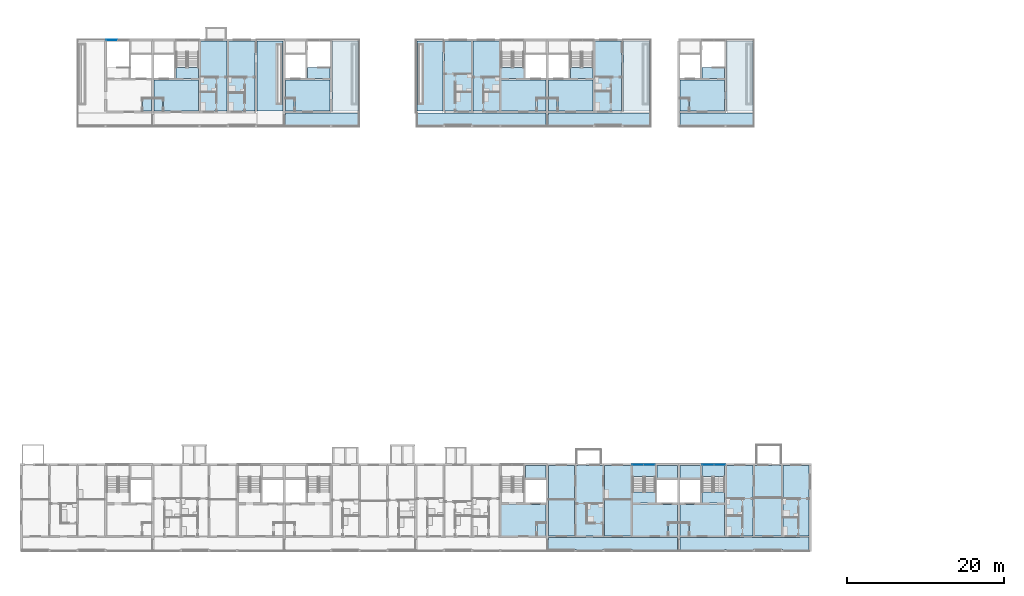
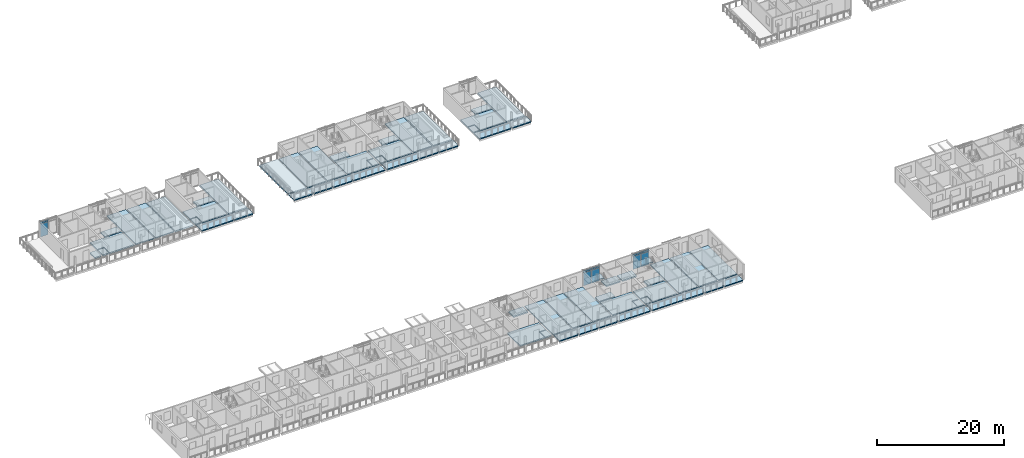
# One storey, part 28 of 94: 51 slabs, 10 plates, 5 elements without a shape of their own.
"""IFC4 building model written with IfcOpenShell, lengths in metres."""

from ifc_helpers import new_model, si_unit, direction, frame, origin, origin_2d, place, context, subcontext, project, spatial, polyline, rectangle, outline, extrude, material, layer, layer_set, type_object, element, aggregate, save


model = new_model("IFC4")

# Units and contexts
model_context = context("Model", 3, precision=1e-05, world=origin(), true_north=direction((0.0, 1.0)))
body_context = subcontext(model_context, "Body", "Model", "MODEL_VIEW")
ifc_project = project(units=[si_unit("LENGTHUNIT", "METRE"), si_unit("AREAUNIT", "SQUARE_METRE"), si_unit("VOLUMEUNIT", "CUBIC_METRE"), si_unit("PLANEANGLEUNIT", "RADIAN"), si_unit("MASSUNIT", "GRAM", prefix="KILO")], contexts=[model_context])

# Site, building, storey
site_placement = place(None, origin())
site = spatial("IfcSite", under=ifc_project, at=site_placement, CompositionType="ELEMENT")
building_placement = place(site_placement, origin())
building = spatial("IfcBuilding", under=site, at=building_placement, Name="Ridgestep Commons", CompositionType="ELEMENT")
storey_placement = place(building_placement, frame((0.0, 0.0, 24.0)))
storey = spatial("IfcBuildingStorey", under=building, at=storey_placement, Name="L08", CompositionType="ELEMENT", Elevation=24.0)

# Slabs
ifc_material_1 = material(Name="Precast concrete C40/50", Category="concrete")
ifc_layer_1 = layer(ifc_material_1, 0.199951171875)
ifc_layer_set_1 = layer_set([ifc_layer_1], Name="Gallery slab 200")
slab_type_1 = type_object("IfcSlabType", Name="Gallery slab 200", PredefinedType="FLOOR", material=ifc_layer_set_1)
slab_1_placement = place(storey_placement, frame((0.0, 0.0, -0.199951171875)))
element("IfcSlab", 1, at=slab_1_placement, inside=storey, type_object=slab_type_1, Name="Gallery slab A5 L08", PredefinedType="FLOOR", context=body_context, shape_type="SweptSolid", body=[
    extrude(outline(polyline([(95.85009765625, 13.550048828125), (79.35009765625, 13.550048828125), (79.35009765625, 11.75), (82.675048828125, 11.75), (82.675048828125, 12.0), (82.925048828125, 12.0), (82.925048828125, 11.75), (86.27490234375, 11.75), (86.27490234375, 12.0), (86.52490234375, 12.0), (86.52490234375, 11.75), (89.875, 11.75), (89.875, 12.0), (90.125, 12.0), (90.125, 11.75), (95.85009765625, 11.75), (95.85009765625, 13.550048828125)])), origin(), (0.0, 0.0, 1.0), 0.199951171875),
])
slab_2_placement = place(storey_placement, frame((0.0, 0.0, -0.199951171875)))
element("IfcSlab", 2, at=slab_2_placement, inside=storey, type_object=slab_type_1, Name="Gallery slab A6 L08", PredefinedType="FLOOR", context=body_context, shape_type="SweptSolid", body=[
    extrude(outline(polyline([(112.64990234375, 13.550048828125), (96.14990234375, 13.550048828125), (96.14990234375, 11.75), (101.875, 11.75), (101.875, 12.0), (102.125, 12.0), (102.125, 11.75), (105.47509765625, 11.75), (105.47509765625, 12.0), (105.72509765625, 12.0), (105.72509765625, 11.75), (109.074951171875, 11.75), (109.074951171875, 12.0), (109.324951171875, 12.0), (109.324951171875, 11.75), (112.64990234375, 11.75), (112.64990234375, 13.550048828125)])), origin(), (0.0, 0.0, 1.0), 0.199951171875),
])
slab_3_placement = place(storey_placement, frame((0.0, 0.0, -0.199951171875)))
element("IfcSlab", 3, at=slab_3_placement, inside=storey, type_object=slab_type_1, Name="Gallery slab B3 L08", PredefinedType="FLOOR", context=body_context, shape_type="SweptSolid", body=[
    extrude(outline(polyline([(45.75, 67.800048828125), (45.75, 66.0), (51.47509765625, 66.0), (51.47509765625, 66.25), (51.72509765625, 66.25), (51.72509765625, 66.0), (55.074951171875, 66.0), (55.074951171875, 66.25), (55.199951171875, 66.25), (55.199951171875, 67.800048828125), (45.75, 67.800048828125)])), origin(), (0.0, 0.0, 1.0), 0.199951171875),
])
slab_4_placement = place(storey_placement, frame((0.0, 0.0, -0.199951171875)))
element("IfcSlab", 4, at=slab_4_placement, inside=storey, type_object=slab_type_1, Name="Gallery slab B4 L08", PredefinedType="FLOOR", context=body_context, shape_type="SweptSolid", body=[
    extrude(outline(polyline([(79.050048828125, 67.800048828125), (62.550048828125, 67.800048828125), (62.550048828125, 66.0), (65.875, 66.0), (65.875, 66.25), (66.125, 66.25), (66.125, 66.0), (69.47509765625, 66.0), (69.47509765625, 66.25), (69.72509765625, 66.25), (69.72509765625, 66.0), (73.074951171875, 66.0), (73.074951171875, 66.25), (73.324951171875, 66.25), (73.324951171875, 66.0), (79.050048828125, 66.0), (79.050048828125, 67.800048828125)])), origin(), (0.0, 0.0, 1.0), 0.199951171875),
])
slab_5_placement = place(storey_placement, frame((0.0, 0.0, -0.199951171875)))
element("IfcSlab", 5, at=slab_5_placement, inside=storey, type_object=slab_type_1, Name="Gallery slab B5 L08", PredefinedType="FLOOR", context=body_context, shape_type="SweptSolid", body=[
    extrude(outline(polyline([(92.39990234375, 67.800048828125), (79.35009765625, 67.800048828125), (79.35009765625, 66.0), (85.074951171875, 66.0), (85.074951171875, 66.25), (85.324951171875, 66.25), (85.324951171875, 66.0), (88.675048828125, 66.0), (88.675048828125, 66.25), (88.925048828125, 66.25), (88.925048828125, 66.0), (92.27490234375, 66.0), (92.27490234375, 66.25), (92.39990234375, 66.25), (92.39990234375, 67.800048828125)])), origin(), (0.0, 0.0, 1.0), 0.199951171875),
])
slab_6_placement = place(storey_placement, frame((0.0, 0.0, -0.199951171875)))
element("IfcSlab", 6, at=slab_6_placement, inside=storey, type_object=slab_type_1, Name="Gallery slab B6 L08", PredefinedType="FLOOR", context=body_context, shape_type="SweptSolid", body=[
    extrude(outline(polyline([(96.14990234375, 67.800048828125), (96.14990234375, 66.0), (101.875, 66.0), (101.875, 66.25), (102.125, 66.25), (102.125, 66.0), (105.47509765625, 66.0), (105.47509765625, 66.25), (105.60009765625, 66.25), (105.60009765625, 67.800048828125), (96.14990234375, 67.800048828125)])), origin(), (0.0, 0.0, 1.0), 0.199951171875),
])

# Curtain wall, plates
ifc_material_2 = material(Name="Aluminium 6063-T6 and glass", Category="aluminium")
curtain_wall_type = type_object("IfcCurtainWallType", Name="Curtain wall stair strip", PredefinedType="NOTDEFINED", material=ifc_material_2)
curtain_wall_1_placement = place(storey_placement, origin())
curtain_wall_1 = element("IfcCurtainWall", 7, at=curtain_wall_1_placement, inside=storey, type_object=curtain_wall_type, Name="Curtain wall A5C level 08", PredefinedType="NOTDEFINED")
ifc_material_3 = material(Name="Glass laminated 6/16/6 low-emissivity", Category="glass")
ifc_layer_2 = layer(ifc_material_3, 0.028076171875)
ifc_layer_set_2 = layer_set([ifc_layer_2], Name="Glazing panel 28")
plate_type_1 = type_object("IfcPlateType", Name="Glazing panel 28", PredefinedType="CURTAIN_PANEL", material=ifc_layer_set_2)
plate_1_placement = place(storey_placement, frame((90.771240234375, 22.830078125, 0.06005859375), z_axis=(0.0, 0.0, 1.0), x_axis=(1.0, 0.0, 0.0)))
plate_1 = element("IfcPlate", 8, at=plate_1_placement, type_object=plate_type_1, Name="CW1 panel 1.1", PredefinedType="CURTAIN_PANEL", context=body_context, shape_type="SweptSolid", body=[
    extrude(rectangle(XDim=1.422607421875, YDim=0.028076171875, at=origin_2d()), origin(), (0.0, 0.0, 1.0), 2.5),
])
plate_2_placement = place(storey_placement, frame((92.253662109375, 22.830078125, 0.06005859375), z_axis=(0.0, 0.0, 1.0), x_axis=(1.0, 0.0, 0.0)))
plate_2 = element("IfcPlate", 9, at=plate_2_placement, type_object=plate_type_1, Name="CW1 panel 2.1", PredefinedType="CURTAIN_PANEL", context=body_context, shape_type="SweptSolid", body=[
    extrude(rectangle(XDim=1.422607421875, YDim=0.028076171875, at=origin_2d()), origin(), (0.0, 0.0, 1.0), 2.5),
])

curtain_wall_2_placement = place(storey_placement, origin())
curtain_wall_2 = element("IfcCurtainWall", 10, at=curtain_wall_2_placement, inside=storey, type_object=curtain_wall_type, Name="Curtain wall A6C level 08", PredefinedType="NOTDEFINED")
plate_3_placement = place(storey_placement, frame((99.746337890625, 22.830078125, 0.06005859375), z_axis=(0.0, 0.0, 1.0), x_axis=(1.0, 0.0, 0.0)))
plate_3 = element("IfcPlate", 11, at=plate_3_placement, type_object=plate_type_1, Name="CW1 panel 1.1", PredefinedType="CURTAIN_PANEL", context=body_context, shape_type="SweptSolid", body=[
    extrude(rectangle(XDim=1.422607421875, YDim=0.028076171875, at=origin_2d()), origin(), (0.0, 0.0, 1.0), 2.5),
])
plate_4_placement = place(storey_placement, frame((101.228759765625, 22.830078125, 0.06005859375), z_axis=(0.0, 0.0, 1.0), x_axis=(1.0, 0.0, 0.0)))
plate_4 = element("IfcPlate", 12, at=plate_4_placement, type_object=plate_type_1, Name="CW1 panel 2.1", PredefinedType="CURTAIN_PANEL", context=body_context, shape_type="SweptSolid", body=[
    extrude(rectangle(XDim=1.422607421875, YDim=0.028076171875, at=origin_2d()), origin(), (0.0, 0.0, 1.0), 2.5),
])

# Curtain wall, plate
curtain_wall_3_placement = place(storey_placement, origin())
curtain_wall_3 = element("IfcCurtainWall", 13, at=curtain_wall_3_placement, inside=storey, type_object=curtain_wall_type, Name="Curtain wall B1C level 08", PredefinedType="NOTDEFINED")
plate_5_placement = place(storey_placement, frame((23.5712890625, 77.080078125, 0.06005859375), z_axis=(0.0, 0.0, 1.0), x_axis=(1.0, 0.0, 0.0)))
plate_5 = element("IfcPlate", 14, at=plate_5_placement, type_object=plate_type_1, Name="CW1 panel 1.1", PredefinedType="CURTAIN_PANEL", context=body_context, shape_type="SweptSolid", body=[
    extrude(rectangle(XDim=1.422607421875, YDim=0.028076171875, at=origin_2d()), origin(), (0.0, 0.0, 1.0), 2.5),
])

# Slabs
ifc_material_4 = material(Name="Precast concrete C50/60", Category="concrete")
ifc_layer_3 = layer(ifc_material_4, 0.199951171875)
ifc_layer_set_3 = layer_set([ifc_layer_3], Name="Hollow-core plank 200")
slab_type_2 = type_object("IfcSlabType", Name="Hollow-core plank 200", PredefinedType="FLOOR", material=ifc_layer_set_3)
slab_7_placement = place(storey_placement, frame((0.0, 0.0, -0.199951171875)))
element("IfcSlab", 15, at=slab_7_placement, inside=storey, type_object=slab_type_2, Name="Floor plank A5T1 L08", PredefinedType="FLOOR", context=body_context, shape_type="SweptSolid", body=[
    extrude(outline(polyline([(82.699951171875, 13.75), (82.699951171875, 22.75), (79.35009765625, 22.75), (79.35009765625, 13.75), (82.699951171875, 13.75)])), origin(), (0.0, 0.0, 1.0), 0.199951171875),
])
slab_8_placement = place(storey_placement, frame((0.0, 0.0, -0.199951171875)))
element("IfcSlab", 16, at=slab_8_placement, inside=storey, type_object=slab_type_2, Name="Floor plank A5T2 L08", PredefinedType="FLOOR", context=body_context, shape_type="SweptSolid", body=[
    extrude(outline(polyline([(86.300048828125, 13.75), (86.300048828125, 22.75), (82.89990234375, 22.75), (82.89990234375, 13.75), (86.300048828125, 13.75)])), origin(), (0.0, 0.0, 1.0), 0.199951171875),
])
slab_9_placement = place(storey_placement, frame((0.0, 0.0, -0.199951171875)))
element("IfcSlab", 17, at=slab_9_placement, inside=storey, type_object=slab_type_2, Name="Floor plank A5T3 L08", PredefinedType="FLOOR", context=body_context, shape_type="SweptSolid", body=[
    extrude(outline(polyline([(89.875, 13.75), (89.875, 22.75), (86.5, 22.75), (86.5, 13.75), (89.875, 13.75)])), origin(), (0.0, 0.0, 1.0), 0.199951171875),
])
slab_10_placement = place(storey_placement, frame((0.0, 0.0, -0.199951171875)))
element("IfcSlab", 18, at=slab_10_placement, inside=storey, type_object=slab_type_2, Name="Floor plank A6T3 L08", PredefinedType="FLOOR", context=body_context, shape_type="SweptSolid", body=[
    extrude(outline(polyline([(105.5, 13.75), (105.5, 22.75), (102.125, 22.75), (102.125, 13.75), (105.5, 13.75)])), origin(), (0.0, 0.0, 1.0), 0.199951171875),
])
slab_11_placement = place(storey_placement, frame((0.0, 0.0, -0.199951171875)))
element("IfcSlab", 19, at=slab_11_placement, inside=storey, type_object=slab_type_2, Name="Floor plank A6T2 L08", PredefinedType="FLOOR", context=body_context, shape_type="SweptSolid", body=[
    extrude(outline(polyline([(109.10009765625, 13.75), (109.10009765625, 22.75), (105.699951171875, 22.75), (105.699951171875, 13.75), (109.10009765625, 13.75)])), origin(), (0.0, 0.0, 1.0), 0.199951171875),
])
slab_12_placement = place(storey_placement, frame((0.0, 0.0, -0.199951171875)))
element("IfcSlab", 20, at=slab_12_placement, inside=storey, type_object=slab_type_2, Name="Floor plank A6T1 L08", PredefinedType="FLOOR", context=body_context, shape_type="SweptSolid", body=[
    extrude(outline(polyline([(112.64990234375, 13.75), (112.64990234375, 22.75), (109.300048828125, 22.75), (109.300048828125, 13.75), (112.64990234375, 13.75)])), origin(), (0.0, 0.0, 1.0), 0.199951171875),
])
slab_13_placement = place(storey_placement, frame((0.0, 0.0, -0.199951171875)))
element("IfcSlab", 21, at=slab_13_placement, inside=storey, type_object=slab_type_2, Name="Floor plank B2T3 L08", PredefinedType="FLOOR", context=body_context, shape_type="SweptSolid", body=[
    extrude(outline(polyline([(38.300048828125, 68.0), (38.300048828125, 77.0), (34.925048828125, 77.0), (34.925048828125, 68.0), (38.300048828125, 68.0)])), origin(), (0.0, 0.0, 1.0), 0.199951171875),
])
slab_14_placement = place(storey_placement, frame((0.0, 0.0, -0.199951171875)))
element("IfcSlab", 22, at=slab_14_placement, inside=storey, type_object=slab_type_2, Name="Floor plank B2T2 L08", PredefinedType="FLOOR", context=body_context, shape_type="SweptSolid", body=[
    extrude(outline(polyline([(41.89990234375, 68.0), (41.89990234375, 77.0), (38.5, 77.0), (38.5, 68.0), (41.89990234375, 68.0)])), origin(), (0.0, 0.0, 1.0), 0.199951171875),
])
slab_15_placement = place(storey_placement, frame((0.0, 0.0, -0.199951171875)))
element("IfcSlab", 23, at=slab_15_placement, inside=storey, type_object=slab_type_2, Name="Floor plank B4T2 L08", PredefinedType="FLOOR", context=body_context, shape_type="SweptSolid", body=[
    extrude(outline(polyline([(69.5, 68.0), (69.5, 77.0), (66.10009765625, 77.0), (66.10009765625, 68.0), (69.5, 68.0)])), origin(), (0.0, 0.0, 1.0), 0.199951171875),
])
slab_16_placement = place(storey_placement, frame((0.0, 0.0, -0.199951171875)))
element("IfcSlab", 24, at=slab_16_placement, inside=storey, type_object=slab_type_2, Name="Floor plank B4T3 L08", PredefinedType="FLOOR", context=body_context, shape_type="SweptSolid", body=[
    extrude(outline(polyline([(73.074951171875, 68.0), (73.074951171875, 77.0), (69.699951171875, 77.0), (69.699951171875, 68.0), (73.074951171875, 68.0)])), origin(), (0.0, 0.0, 1.0), 0.199951171875),
])
slab_17_placement = place(storey_placement, frame((0.0, 0.0, -0.199951171875)))
element("IfcSlab", 25, at=slab_17_placement, inside=storey, type_object=slab_type_2, Name="Floor plank B5T3 L08", PredefinedType="FLOOR", context=body_context, shape_type="SweptSolid", body=[
    extrude(outline(polyline([(88.699951171875, 68.0), (88.699951171875, 77.0), (85.324951171875, 77.0), (85.324951171875, 68.0), (88.699951171875, 68.0)])), origin(), (0.0, 0.0, 1.0), 0.199951171875),
])
ifc_material_5 = material(Name="Precast concrete C50/60", Category="concrete")
ifc_layer_4 = layer(ifc_material_5, 0.25)
ifc_layer_set_4 = layer_set([ifc_layer_4], Name="Hollow-core plank 250")
slab_type_3 = type_object("IfcSlabType", Name="Hollow-core plank 250", PredefinedType="FLOOR", material=ifc_layer_set_4)
slab_18_placement = place(storey_placement, frame((0.0, 0.0, -0.25)))
element("IfcSlab", 26, at=slab_18_placement, inside=storey, type_object=slab_type_3, Name="Floor plank A4C L08", PredefinedType="FLOOR", context=body_context, shape_type="SweptSolid", body=[
    extrude(outline(polyline([(77.919921875, 15.469970703125), (79.050048828125, 15.469970703125), (79.050048828125, 17.75), (73.324951171875, 17.75), (73.324951171875, 13.75), (77.800048828125, 13.75), (77.800048828125, 15.469970703125), (77.919921875, 15.469970703125)])), origin(), (0.0, 0.0, 1.0), 0.25),
])
slab_19_placement = place(storey_placement, frame((0.0, 0.0, -0.25)))
element("IfcSlab", 27, at=slab_19_placement, inside=storey, type_object=slab_type_3, Name="Floor plank A4C L08", PredefinedType="FLOOR", context=body_context, shape_type="SweptSolid", body=[
    extrude(outline(polyline([(79.050048828125, 21.14990234375), (79.050048828125, 22.75), (76.425048828125, 22.75), (76.425048828125, 21.14990234375), (79.050048828125, 21.14990234375)])), origin(), (0.0, 0.0, 1.0), 0.25),
])
slab_20_placement = place(storey_placement, frame((0.0, 0.0, -0.25)))
element("IfcSlab", 28, at=slab_20_placement, inside=storey, type_object=slab_type_3, Name="Floor plank A4C L08", PredefinedType="FLOOR", context=body_context, shape_type="SweptSolid", body=[
    extrude(outline(polyline([(77.919921875, 13.75), (79.050048828125, 13.75), (79.050048828125, 15.35009765625), (77.919921875, 15.35009765625), (77.919921875, 13.75)])), origin(), (0.0, 0.0, 1.0), 0.25),
])
slab_21_placement = place(storey_placement, frame((0.0, 0.0, -0.25)))
element("IfcSlab", 29, at=slab_21_placement, inside=storey, type_object=slab_type_3, Name="Floor plank A5C L08", PredefinedType="FLOOR", context=body_context, shape_type="SweptSolid", body=[
    extrude(outline(polyline([(94.719970703125, 15.469970703125), (95.85009765625, 15.469970703125), (95.85009765625, 17.75), (90.125, 17.75), (90.125, 13.75), (94.60009765625, 13.75), (94.60009765625, 15.469970703125), (94.719970703125, 15.469970703125)])), origin(), (0.0, 0.0, 1.0), 0.25),
])
slab_22_placement = place(storey_placement, frame((0.0, 0.0, -0.25)))
element("IfcSlab", 30, at=slab_22_placement, inside=storey, type_object=slab_type_3, Name="Floor plank A5C L08", PredefinedType="FLOOR", context=body_context, shape_type="SweptSolid", body=[
    extrude(outline(polyline([(95.85009765625, 21.14990234375), (95.85009765625, 22.75), (93.22509765625, 22.75), (93.22509765625, 21.14990234375), (95.85009765625, 21.14990234375)])), origin(), (0.0, 0.0, 1.0), 0.25),
])
slab_23_placement = place(storey_placement, frame((0.0, 0.0, -0.25)))
element("IfcSlab", 31, at=slab_23_placement, inside=storey, type_object=slab_type_3, Name="Floor plank A5C L08", PredefinedType="FLOOR", context=body_context, shape_type="SweptSolid", body=[
    extrude(outline(polyline([(93.02490234375, 17.949951171875), (93.02490234375, 19.35009765625), (90.125, 19.35009765625), (90.125, 17.949951171875), (93.02490234375, 17.949951171875)])), origin(), (0.0, 0.0, 1.0), 0.25),
])
slab_24_placement = place(storey_placement, frame((0.0, 0.0, -0.25)))
element("IfcSlab", 32, at=slab_24_placement, inside=storey, type_object=slab_type_3, Name="Floor plank A5C L08", PredefinedType="FLOOR", context=body_context, shape_type="SweptSolid", body=[
    extrude(outline(polyline([(94.719970703125, 13.75), (95.85009765625, 13.75), (95.85009765625, 15.35009765625), (94.719970703125, 15.35009765625), (94.719970703125, 13.75)])), origin(), (0.0, 0.0, 1.0), 0.25),
])
slab_25_placement = place(storey_placement, frame((0.0, 0.0, -0.25)))
element("IfcSlab", 33, at=slab_25_placement, inside=storey, type_object=slab_type_3, Name="Floor plank A6C L08", PredefinedType="FLOOR", context=body_context, shape_type="SweptSolid", body=[
    extrude(outline(polyline([(97.39990234375, 13.75), (101.875, 13.75), (101.875, 17.75), (96.14990234375, 17.75), (96.14990234375, 15.469970703125), (97.280029296875, 15.469970703125), (97.39990234375, 15.469970703125), (97.39990234375, 13.75)])), origin(), (0.0, 0.0, 1.0), 0.25),
])
slab_26_placement = place(storey_placement, frame((0.0, 0.0, -0.25)))
element("IfcSlab", 34, at=slab_26_placement, inside=storey, type_object=slab_type_3, Name="Floor plank A6C L08", PredefinedType="FLOOR", context=body_context, shape_type="SweptSolid", body=[
    extrude(outline(polyline([(98.77490234375, 22.75), (96.14990234375, 22.75), (96.14990234375, 21.14990234375), (98.77490234375, 21.14990234375), (98.77490234375, 22.75)])), origin(), (0.0, 0.0, 1.0), 0.25),
])
slab_27_placement = place(storey_placement, frame((0.0, 0.0, -0.25)))
element("IfcSlab", 35, at=slab_27_placement, inside=storey, type_object=slab_type_3, Name="Floor plank A6C L08", PredefinedType="FLOOR", context=body_context, shape_type="SweptSolid", body=[
    extrude(outline(polyline([(101.875, 17.949951171875), (101.875, 19.35009765625), (98.97509765625, 19.35009765625), (98.97509765625, 17.949951171875), (101.875, 17.949951171875)])), origin(), (0.0, 0.0, 1.0), 0.25),
])
slab_28_placement = place(storey_placement, frame((0.0, 0.0, -0.25)))
element("IfcSlab", 36, at=slab_28_placement, inside=storey, type_object=slab_type_3, Name="Floor plank A6C L08", PredefinedType="FLOOR", context=body_context, shape_type="SweptSolid", body=[
    extrude(outline(polyline([(97.280029296875, 15.35009765625), (96.14990234375, 15.35009765625), (96.14990234375, 13.75), (97.280029296875, 13.75), (97.280029296875, 15.35009765625)])), origin(), (0.0, 0.0, 1.0), 0.25),
])
slab_29_placement = place(storey_placement, frame((0.0, 0.0, -0.25)))
element("IfcSlab", 37, at=slab_29_placement, inside=storey, type_object=slab_type_3, Name="Floor plank B1C L08", PredefinedType="FLOOR", context=body_context, shape_type="SweptSolid", body=[
    extrude(outline(polyline([(27.52001953125, 68.0), (28.64990234375, 68.0), (28.64990234375, 69.60009765625), (27.52001953125, 69.60009765625), (27.52001953125, 68.0)])), origin(), (0.0, 0.0, 1.0), 0.25),
])
slab_30_placement = place(storey_placement, frame((0.0, 0.0, -0.25)))
element("IfcSlab", 38, at=slab_30_placement, inside=storey, type_object=slab_type_3, Name="Floor plank B2C L08", PredefinedType="FLOOR", context=body_context, shape_type="SweptSolid", body=[
    extrude(outline(polyline([(30.199951171875, 68.0), (34.675048828125, 68.0), (34.675048828125, 72.0), (28.949951171875, 72.0), (28.949951171875, 69.719970703125), (30.080078125, 69.719970703125), (30.199951171875, 69.719970703125), (30.199951171875, 68.0)])), origin(), (0.0, 0.0, 1.0), 0.25),
])
slab_31_placement = place(storey_placement, frame((0.0, 0.0, -0.25)))
element("IfcSlab", 39, at=slab_31_placement, inside=storey, type_object=slab_type_3, Name="Floor plank B2C L08", PredefinedType="FLOOR", context=body_context, shape_type="SweptSolid", body=[
    extrude(outline(polyline([(34.675048828125, 72.199951171875), (34.675048828125, 73.60009765625), (31.77490234375, 73.60009765625), (31.77490234375, 72.199951171875), (34.675048828125, 72.199951171875)])), origin(), (0.0, 0.0, 1.0), 0.25),
])
slab_32_placement = place(storey_placement, frame((0.0, 0.0, -0.25)))
element("IfcSlab", 40, at=slab_32_placement, inside=storey, type_object=slab_type_3, Name="Floor plank B2C L08", PredefinedType="FLOOR", context=body_context, shape_type="SweptSolid", body=[
    extrude(outline(polyline([(30.080078125, 69.60009765625), (28.949951171875, 69.60009765625), (28.949951171875, 68.0), (30.080078125, 68.0), (30.080078125, 69.60009765625)])), origin(), (0.0, 0.0, 1.0), 0.25),
])
slab_33_placement = place(storey_placement, frame((0.0, 0.0, -0.25)))
element("IfcSlab", 41, at=slab_33_placement, inside=storey, type_object=slab_type_3, Name="Floor plank B3C L08", PredefinedType="FLOOR", context=body_context, shape_type="SweptSolid", body=[
    extrude(outline(polyline([(47.0, 68.0), (51.47509765625, 68.0), (51.47509765625, 72.0), (45.75, 72.0), (45.75, 69.719970703125), (46.8798828125, 69.719970703125), (47.0, 69.719970703125), (47.0, 68.0)])), origin(), (0.0, 0.0, 1.0), 0.25),
])
slab_34_placement = place(storey_placement, frame((0.0, 0.0, -0.25)))
element("IfcSlab", 42, at=slab_34_placement, inside=storey, type_object=slab_type_3, Name="Floor plank B3C L08", PredefinedType="FLOOR", context=body_context, shape_type="SweptSolid", body=[
    extrude(outline(polyline([(51.47509765625, 72.199951171875), (51.47509765625, 73.60009765625), (48.574951171875, 73.60009765625), (48.574951171875, 72.199951171875), (51.47509765625, 72.199951171875)])), origin(), (0.0, 0.0, 1.0), 0.25),
])
slab_35_placement = place(storey_placement, frame((0.0, 0.0, -0.25)))
element("IfcSlab", 43, at=slab_35_placement, inside=storey, type_object=slab_type_3, Name="Floor plank B3C L08", PredefinedType="FLOOR", context=body_context, shape_type="SweptSolid", body=[
    extrude(outline(polyline([(46.8798828125, 69.60009765625), (45.75, 69.60009765625), (45.75, 68.0), (46.8798828125, 68.0), (46.8798828125, 69.60009765625)])), origin(), (0.0, 0.0, 1.0), 0.25),
])
slab_36_placement = place(storey_placement, frame((0.0, 0.0, -0.25)))
element("IfcSlab", 44, at=slab_36_placement, inside=storey, type_object=slab_type_3, Name="Floor plank B4C L08", PredefinedType="FLOOR", context=body_context, shape_type="SweptSolid", body=[
    extrude(outline(polyline([(77.919921875, 69.719970703125), (79.050048828125, 69.719970703125), (79.050048828125, 72.0), (73.324951171875, 72.0), (73.324951171875, 68.0), (77.800048828125, 68.0), (77.800048828125, 69.719970703125), (77.919921875, 69.719970703125)])), origin(), (0.0, 0.0, 1.0), 0.25),
])
slab_37_placement = place(storey_placement, frame((0.0, 0.0, -0.25)))
element("IfcSlab", 45, at=slab_37_placement, inside=storey, type_object=slab_type_3, Name="Floor plank B4C L08", PredefinedType="FLOOR", context=body_context, shape_type="SweptSolid", body=[
    extrude(outline(polyline([(76.22509765625, 72.199951171875), (76.22509765625, 73.60009765625), (73.324951171875, 73.60009765625), (73.324951171875, 72.199951171875), (76.22509765625, 72.199951171875)])), origin(), (0.0, 0.0, 1.0), 0.25),
])
slab_38_placement = place(storey_placement, frame((0.0, 0.0, -0.25)))
element("IfcSlab", 46, at=slab_38_placement, inside=storey, type_object=slab_type_3, Name="Floor plank B4C L08", PredefinedType="FLOOR", context=body_context, shape_type="SweptSolid", body=[
    extrude(outline(polyline([(77.919921875, 68.0), (79.050048828125, 68.0), (79.050048828125, 69.60009765625), (77.919921875, 69.60009765625), (77.919921875, 68.0)])), origin(), (0.0, 0.0, 1.0), 0.25),
])
slab_39_placement = place(storey_placement, frame((0.0, 0.0, -0.25)))
element("IfcSlab", 47, at=slab_39_placement, inside=storey, type_object=slab_type_3, Name="Floor plank B5C L08", PredefinedType="FLOOR", context=body_context, shape_type="SweptSolid", body=[
    extrude(outline(polyline([(80.60009765625, 68.0), (85.074951171875, 68.0), (85.074951171875, 72.0), (79.35009765625, 72.0), (79.35009765625, 69.719970703125), (80.47998046875, 69.719970703125), (80.60009765625, 69.719970703125), (80.60009765625, 68.0)])), origin(), (0.0, 0.0, 1.0), 0.25),
])
slab_40_placement = place(storey_placement, frame((0.0, 0.0, -0.25)))
element("IfcSlab", 48, at=slab_40_placement, inside=storey, type_object=slab_type_3, Name="Floor plank B5C L08", PredefinedType="FLOOR", context=body_context, shape_type="SweptSolid", body=[
    extrude(outline(polyline([(85.074951171875, 72.199951171875), (85.074951171875, 73.60009765625), (82.175048828125, 73.60009765625), (82.175048828125, 72.199951171875), (85.074951171875, 72.199951171875)])), origin(), (0.0, 0.0, 1.0), 0.25),
])
slab_41_placement = place(storey_placement, frame((0.0, 0.0, -0.25)))
element("IfcSlab", 49, at=slab_41_placement, inside=storey, type_object=slab_type_3, Name="Floor plank B5C L08", PredefinedType="FLOOR", context=body_context, shape_type="SweptSolid", body=[
    extrude(outline(polyline([(80.47998046875, 69.60009765625), (79.35009765625, 69.60009765625), (79.35009765625, 68.0), (80.47998046875, 68.0), (80.47998046875, 69.60009765625)])), origin(), (0.0, 0.0, 1.0), 0.25),
])
slab_42_placement = place(storey_placement, frame((0.0, 0.0, -0.25)))
element("IfcSlab", 50, at=slab_42_placement, inside=storey, type_object=slab_type_3, Name="Floor plank B6C L08", PredefinedType="FLOOR", context=body_context, shape_type="SweptSolid", body=[
    extrude(outline(polyline([(97.39990234375, 68.0), (101.875, 68.0), (101.875, 72.0), (96.14990234375, 72.0), (96.14990234375, 69.719970703125), (97.280029296875, 69.719970703125), (97.39990234375, 69.719970703125), (97.39990234375, 68.0)])), origin(), (0.0, 0.0, 1.0), 0.25),
])
slab_43_placement = place(storey_placement, frame((0.0, 0.0, -0.25)))
element("IfcSlab", 51, at=slab_43_placement, inside=storey, type_object=slab_type_3, Name="Floor plank B6C L08", PredefinedType="FLOOR", context=body_context, shape_type="SweptSolid", body=[
    extrude(outline(polyline([(101.875, 72.199951171875), (101.875, 73.60009765625), (98.97509765625, 73.60009765625), (98.97509765625, 72.199951171875), (101.875, 72.199951171875)])), origin(), (0.0, 0.0, 1.0), 0.25),
])
slab_44_placement = place(storey_placement, frame((0.0, 0.0, -0.25)))
element("IfcSlab", 52, at=slab_44_placement, inside=storey, type_object=slab_type_3, Name="Floor plank B6C L08", PredefinedType="FLOOR", context=body_context, shape_type="SweptSolid", body=[
    extrude(outline(polyline([(97.280029296875, 69.60009765625), (96.14990234375, 69.60009765625), (96.14990234375, 68.0), (97.280029296875, 68.0), (97.280029296875, 69.60009765625)])), origin(), (0.0, 0.0, 1.0), 0.25),
])
ifc_material_6 = material(Name="Precast concrete C50/60", Category="concrete")
ifc_layer_5 = layer(ifc_material_6, 0.25)
ifc_layer_set_5 = layer_set([ifc_layer_5], Name="Roof slab 250")
slab_type_4 = type_object("IfcSlabType", Name="Roof slab 250", PredefinedType="ROOF", material=ifc_layer_set_5)
slab_45_placement = place(storey_placement, frame((0.0, 0.0, -0.25)))
element("IfcSlab", 53, at=slab_45_placement, inside=storey, type_object=slab_type_4, Name="Terrace slab B2T1", PredefinedType="ROOF", context=body_context, shape_type="SweptSolid", body=[
    extrude(outline(polyline([(45.449951171875, 68.0), (45.449951171875, 77.0), (42.10009765625, 77.0), (42.10009765625, 68.0), (45.449951171875, 68.0)])), origin(), (0.0, 0.0, 1.0), 0.25),
])
slab_46_placement = place(storey_placement, frame((0.0, 0.0, -0.25)))
element("IfcSlab", 54, at=slab_46_placement, inside=storey, type_object=slab_type_4, Name="Terrace slab B3T3", PredefinedType="ROOF", context=body_context, shape_type="SweptSolid", body=[
    extrude(outline(polyline([(55.10009765625, 68.0), (55.10009765625, 77.0), (51.72509765625, 77.0), (51.72509765625, 68.0), (55.10009765625, 68.0)])), origin(), (0.0, 0.0, 1.0), 0.25),
])
slab_47_placement = place(storey_placement, frame((0.0, 0.0, -0.25)))
element("IfcSlab", 55, at=slab_47_placement, inside=storey, type_object=slab_type_4, Name="Terrace slab B4T1", PredefinedType="ROOF", context=body_context, shape_type="SweptSolid", body=[
    extrude(outline(polyline([(65.89990234375, 68.0), (65.89990234375, 77.0), (62.550048828125, 77.0), (62.550048828125, 68.0), (65.89990234375, 68.0)])), origin(), (0.0, 0.0, 1.0), 0.25),
])
slab_48_placement = place(storey_placement, frame((0.0, 0.0, -0.25)))
element("IfcSlab", 56, at=slab_48_placement, inside=storey, type_object=slab_type_4, Name="Terrace slab B5T2", PredefinedType="ROOF", context=body_context, shape_type="SweptSolid", body=[
    extrude(outline(polyline([(92.300048828125, 68.0), (92.300048828125, 77.0), (88.89990234375, 77.0), (88.89990234375, 68.0), (92.300048828125, 68.0)])), origin(), (0.0, 0.0, 1.0), 0.25),
])
slab_49_placement = place(storey_placement, frame((0.0, 0.0, -0.25)))
element("IfcSlab", 57, at=slab_49_placement, inside=storey, type_object=slab_type_4, Name="Terrace slab B6T3", PredefinedType="ROOF", context=body_context, shape_type="SweptSolid", body=[
    extrude(outline(polyline([(105.5, 68.0), (105.5, 77.0), (102.125, 77.0), (102.125, 68.0), (105.5, 68.0)])), origin(), (0.0, 0.0, 1.0), 0.25),
])

# Plate
ifc_material_7 = material(Name="Aluminium 6063-T6 and mineral wool", Category="aluminium")
ifc_layer_6 = layer(ifc_material_7, 0.0400390625)
ifc_layer_set_6 = layer_set([ifc_layer_6], Name="Spandrel panel 40")
plate_type_2 = type_object("IfcPlateType", Name="Spandrel panel 40", PredefinedType="CURTAIN_PANEL", material=ifc_layer_set_6)
plate_6_placement = place(storey_placement, frame((90.771240234375, 22.830078125, 2.6201171875), z_axis=(0.0, 0.0, 1.0), x_axis=(1.0, 0.0, 0.0)))
plate_6 = element("IfcPlate", 58, at=plate_6_placement, type_object=plate_type_2, Name="CW1 panel 1.2", PredefinedType="CURTAIN_PANEL", context=body_context, shape_type="SweptSolid", body=[
    extrude(rectangle(XDim=1.422607421875, YDim=0.0400390625, at=origin_2d()), origin(), (0.0, 0.0, 1.0), 0.320068359375),
])

plate_7_placement = place(storey_placement, frame((92.253662109375, 22.830078125, 2.6201171875), z_axis=(0.0, 0.0, 1.0), x_axis=(1.0, 0.0, 0.0)))
plate_7 = element("IfcPlate", 59, at=plate_7_placement, type_object=plate_type_2, Name="CW1 panel 2.2", PredefinedType="CURTAIN_PANEL", context=body_context, shape_type="SweptSolid", body=[
    extrude(rectangle(XDim=1.422607421875, YDim=0.0400390625, at=origin_2d()), origin(), (0.0, 0.0, 1.0), 0.320068359375),
])

aggregate(curtain_wall_1, [plate_1, plate_6, plate_2, plate_7])

plate_8_placement = place(storey_placement, frame((99.746337890625, 22.830078125, 2.6201171875), z_axis=(0.0, 0.0, 1.0), x_axis=(1.0, 0.0, 0.0)))
plate_8 = element("IfcPlate", 60, at=plate_8_placement, type_object=plate_type_2, Name="CW1 panel 1.2", PredefinedType="CURTAIN_PANEL", context=body_context, shape_type="SweptSolid", body=[
    extrude(rectangle(XDim=1.422607421875, YDim=0.0400390625, at=origin_2d()), origin(), (0.0, 0.0, 1.0), 0.320068359375),
])

plate_9_placement = place(storey_placement, frame((101.228759765625, 22.830078125, 2.6201171875), z_axis=(0.0, 0.0, 1.0), x_axis=(1.0, 0.0, 0.0)))
plate_9 = element("IfcPlate", 61, at=plate_9_placement, type_object=plate_type_2, Name="CW1 panel 2.2", PredefinedType="CURTAIN_PANEL", context=body_context, shape_type="SweptSolid", body=[
    extrude(rectangle(XDim=1.422607421875, YDim=0.0400390625, at=origin_2d()), origin(), (0.0, 0.0, 1.0), 0.320068359375),
])

aggregate(curtain_wall_2, [plate_3, plate_8, plate_4, plate_9])

plate_10_placement = place(storey_placement, frame((23.5712890625, 77.080078125, 2.6201171875), z_axis=(0.0, 0.0, 1.0), x_axis=(1.0, 0.0, 0.0)))
plate_10 = element("IfcPlate", 62, at=plate_10_placement, type_object=plate_type_2, Name="CW1 panel 1.2", PredefinedType="CURTAIN_PANEL", context=body_context, shape_type="SweptSolid", body=[
    extrude(rectangle(XDim=1.422607421875, YDim=0.0400390625, at=origin_2d()), origin(), (0.0, 0.0, 1.0), 0.320068359375),
])

aggregate(curtain_wall_3, [plate_5, plate_10])

# Stair, slab
ifc_material_8 = material(Name="Precast concrete C40/50", Category="concrete")
stair_type = type_object("IfcStairType", Name="Escape stair 1400", PredefinedType="HALF_TURN_STAIR", material=ifc_material_8)
stair_1_placement = place(storey_placement, origin())
stair_1 = element("IfcStair", 63, at=stair_1_placement, inside=storey, type_object=stair_type, Name="L08 Escape stair A5C", PredefinedType="HALF_TURN_STAIR")
ifc_material_9 = material(Name="Precast concrete C40/50", Category="concrete")
ifc_layer_7 = layer(ifc_material_9, 0.199951171875)
ifc_layer_set_7 = layer_set([ifc_layer_7], Name="Stair landing 200")
slab_type_5 = type_object("IfcSlabType", Name="Stair landing 200", PredefinedType="LANDING", material=ifc_layer_set_7)
slab_50_placement = place(storey_placement, frame((0.0, 0.0, 1.300048828125)))
slab_50 = element("IfcSlab", 64, at=slab_50_placement, type_object=slab_type_5, Name="A5C landing 1", PredefinedType="LANDING", context=body_context, shape_type="SweptSolid", body=[
    extrude(outline(polyline([(93.02490234375, 21.31005859375), (93.02490234375, 22.75), (90.125, 22.75), (90.125, 21.31005859375), (93.02490234375, 21.31005859375)])), origin(), (0.0, 0.0, 1.0), 0.199951171875),
])
aggregate(stair_1, [slab_50])

stair_2_placement = place(storey_placement, origin())
stair_2 = element("IfcStair", 65, at=stair_2_placement, inside=storey, type_object=stair_type, Name="L08 Escape stair A6C", PredefinedType="HALF_TURN_STAIR")
slab_51_placement = place(storey_placement, frame((0.0, 0.0, 1.300048828125)))
slab_51 = element("IfcSlab", 66, at=slab_51_placement, type_object=slab_type_5, Name="A6C landing 1", PredefinedType="LANDING", context=body_context, shape_type="SweptSolid", body=[
    extrude(outline(polyline([(101.875, 21.31005859375), (101.875, 22.75), (98.97509765625, 22.75), (98.97509765625, 21.31005859375), (101.875, 21.31005859375)])), origin(), (0.0, 0.0, 1.0), 0.199951171875),
])
aggregate(stair_2, [slab_51])

save(model, "model.ifc")
